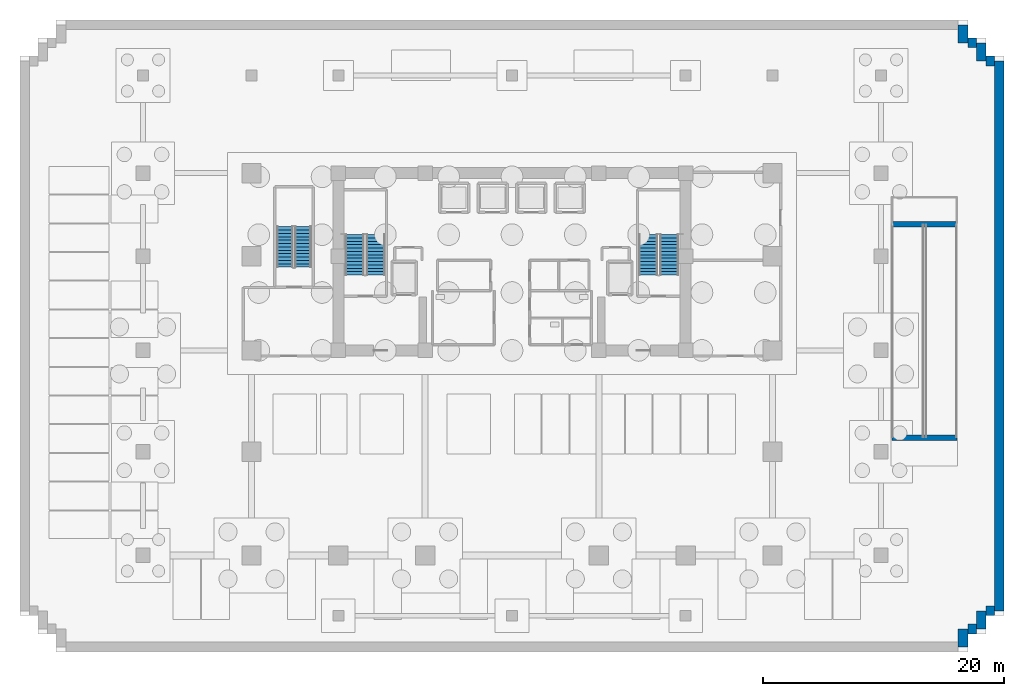
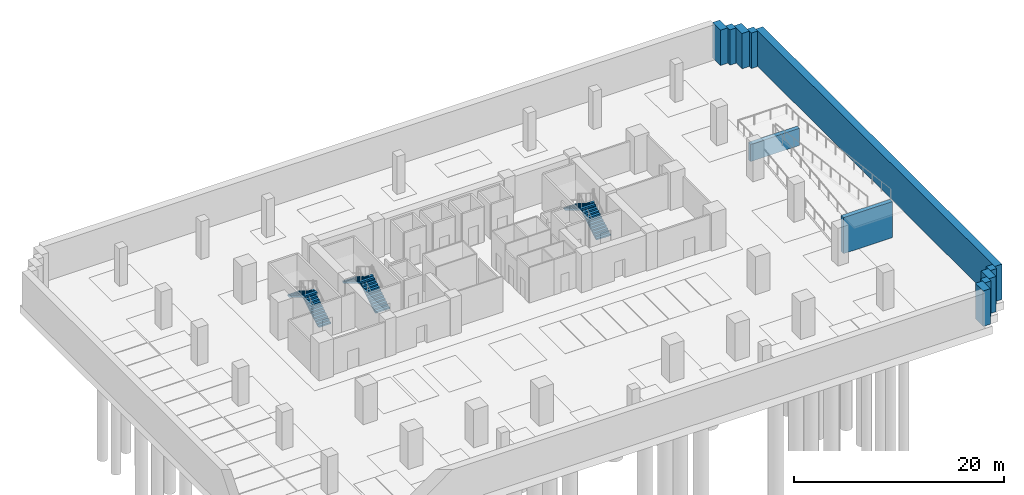
# One storey, part 6 of 13: 11 walls, 6 stair flights, 3 elements without a shape of their own.
"""IFC4 building model written with IfcOpenShell, lengths in metres."""

from ifc_helpers import new_model, si_unit, direction, frame, frame_2d, origin, place, context, subcontext, project, spatial, polyline, rectangle, outline, extrude, material, layer, layer_set, type_object, element, aggregate, save


model = new_model("IFC4")

# Units and contexts
model_context = context("Model", 3, precision=1e-05, world=origin(), true_north=direction((0.0, 1.0)))
body_context = subcontext(model_context, "Body", "Model", "MODEL_VIEW")
ifc_project = project(units=[si_unit("LENGTHUNIT", "METRE"), si_unit("AREAUNIT", "SQUARE_METRE"), si_unit("VOLUMEUNIT", "CUBIC_METRE"), si_unit("PLANEANGLEUNIT", "RADIAN"), si_unit("MASSUNIT", "GRAM", prefix="KILO")], contexts=[model_context])

# Site, building, storey
site_placement = place(None, origin())
site = spatial("IfcSite", under=ifc_project, at=site_placement, CompositionType="ELEMENT")
building_placement = place(site_placement, origin())
building = spatial("IfcBuilding", under=site, at=building_placement, Name="Zarnakvel Exchange Tower", CompositionType="ELEMENT")
storey_placement = place(building_placement, frame((0.0, 0.0, -13.199951171875)))
storey = spatial("IfcBuildingStorey", under=building, at=storey_placement, Name="B03", CompositionType="ELEMENT", Elevation=-13.199951171875)

# Walls
ifc_material_1 = material(Name="Concrete C50/60", Category="concrete")
ifc_layer_1 = layer(ifc_material_1, 0.449951171875)
ifc_layer_set_1 = layer_set([ifc_layer_1], Name="Concrete C50/60")
wall_type_1 = type_object("IfcWallType", Name="CW-C6", PredefinedType="SHEAR", material=ifc_layer_set_1)
wall_1_placement = place(storey_placement, frame((31.5, 9.25, 0.0), z_axis=(0.0, 0.0, 1.0), x_axis=(1.0, 0.0, 0.0)))
element("IfcWall", 1, at=wall_1_placement, inside=storey, type_object=wall_type_1, Name="B03 Ramp Mid-Landing Hinge Bearing Wall", PredefinedType="SHEAR", context=body_context, shape_type="SweptSolid", body=[
    extrude(rectangle(XDim=5.39990234375, YDim=0.449951171875, at=frame_2d((2.699951171875, 0.0))), origin(), (0.0, 0.0, 1.0), 2.0),
])
wall_2_placement = place(storey_placement, frame((31.5, -8.449951171875, 0.0), z_axis=(0.0, 0.0, 1.0), x_axis=(1.0, 0.0, 0.0)))
element("IfcWall", 2, at=wall_2_placement, inside=storey, type_object=wall_type_1, Name="B03 Ramp Top-Landing Hinge Bearing Wall", PredefinedType="SHEAR", context=body_context, shape_type="SweptSolid", body=[
    extrude(rectangle(XDim=5.39990234375, YDim=0.449951171875, at=frame_2d((2.699951171875, 0.0))), origin(), (0.0, 0.0, 1.0), 4.199951171875),
])
ifc_layer_2 = layer(ifc_material_1, 0.800048828125)
ifc_layer_set_2 = layer_set([ifc_layer_2], Name="Concrete C50/60")
wall_type_2 = type_object("IfcWallType", Name="RW-01", PredefinedType="USERDEFINED", material=ifc_layer_set_2)
wall_3_placement = place(storey_placement, frame((37.39990234375, 25.800048828125, 0.0), z_axis=(0.0, 0.0, 1.0), x_axis=(0.0, -1.0, 0.0)))
element("IfcWall", 3, at=wall_3_placement, inside=storey, type_object=wall_type_2, Name="B03 Perimeter Retaining Wall RW-01 #7", ObjectType="RETAININGWALL", PredefinedType="USERDEFINED", context=body_context, shape_type="SweptSolid", body=[
    extrude(rectangle(XDim=1.5, YDim=0.800048828125, at=frame_2d((0.75, 0.0))), origin(), (0.0, 0.0, 1.0), 4.119873046875),
])
wall_4_placement = place(storey_placement, frame((37.800048828125, 24.300048828125, 0.0), z_axis=(0.0, 0.0, 1.0), x_axis=(1.0, 0.0, 0.0)))
element("IfcWall", 4, at=wall_4_placement, inside=storey, type_object=wall_type_2, Name="B03 Perimeter Retaining Wall RW-01 #8", ObjectType="RETAININGWALL", PredefinedType="USERDEFINED", context=body_context, shape_type="SweptSolid", body=[
    extrude(rectangle(XDim=0.699951171875, YDim=0.800048828125, at=frame_2d((0.35009765625, 0.0))), origin(), (0.0, 0.0, 1.0), 4.119873046875),
])
wall_5_placement = place(storey_placement, frame((38.89990234375, 24.300048828125, 0.0), z_axis=(0.0, 0.0, 1.0), x_axis=(0.0, -1.0, 0.0)))
element("IfcWall", 5, at=wall_5_placement, inside=storey, type_object=wall_type_2, Name="B03 Perimeter Retaining Wall RW-01 #9", ObjectType="RETAININGWALL", PredefinedType="USERDEFINED", context=body_context, shape_type="SweptSolid", body=[
    extrude(rectangle(XDim=1.5, YDim=0.800048828125, at=frame_2d((0.75, 0.0))), origin(), (0.0, 0.0, 1.0), 4.119873046875),
])
wall_6_placement = place(storey_placement, frame((39.300048828125, 22.800048828125, 0.0), z_axis=(0.0, 0.0, 1.0), x_axis=(1.0, 0.0, 0.0)))
element("IfcWall", 6, at=wall_6_placement, inside=storey, type_object=wall_type_2, Name="B03 Perimeter Retaining Wall RW-01 #10", ObjectType="RETAININGWALL", PredefinedType="USERDEFINED", context=body_context, shape_type="SweptSolid", body=[
    extrude(rectangle(XDim=0.699951171875, YDim=0.800048828125, at=frame_2d((0.35009765625, 0.0))), origin(), (0.0, 0.0, 1.0), 4.119873046875),
])
wall_7_placement = place(storey_placement, frame((40.39990234375, 22.800048828125, 0.0), z_axis=(0.0, 0.0, 1.0), x_axis=(0.0, -1.0, 0.0)))
element("IfcWall", 7, at=wall_7_placement, inside=storey, type_object=wall_type_2, Name="B03 Perimeter Retaining Wall RW-01 #11", ObjectType="RETAININGWALL", PredefinedType="USERDEFINED", context=body_context, shape_type="SweptSolid", body=[
    extrude(rectangle(XDim=45.60009765625, YDim=0.800048828125, at=frame_2d((22.800048828125, 0.0))), origin(), (0.0, 0.0, 1.0), 4.119873046875),
])
wall_8_placement = place(storey_placement, frame((40.0, -22.800048828125, 0.0), z_axis=(0.0, 0.0, 1.0), x_axis=(-1.0, 0.0, 0.0)))
element("IfcWall", 8, at=wall_8_placement, inside=storey, type_object=wall_type_2, Name="B03 Perimeter Retaining Wall RW-01 #12", ObjectType="RETAININGWALL", PredefinedType="USERDEFINED", context=body_context, shape_type="SweptSolid", body=[
    extrude(rectangle(XDim=0.699951171875, YDim=0.800048828125, at=frame_2d((0.35009765625, 0.0))), origin(), (0.0, 0.0, 1.0), 4.119873046875),
])
wall_9_placement = place(storey_placement, frame((38.89990234375, -22.800048828125, 0.0), z_axis=(0.0, 0.0, 1.0), x_axis=(0.0, -1.0, 0.0)))
element("IfcWall", 9, at=wall_9_placement, inside=storey, type_object=wall_type_2, Name="B03 Perimeter Retaining Wall RW-01 #13", ObjectType="RETAININGWALL", PredefinedType="USERDEFINED", context=body_context, shape_type="SweptSolid", body=[
    extrude(rectangle(XDim=1.5, YDim=0.800048828125, at=frame_2d((0.75, 0.0))), origin(), (0.0, 0.0, 1.0), 4.119873046875),
])
wall_10_placement = place(storey_placement, frame((38.5, -24.300048828125, 0.0), z_axis=(0.0, 0.0, 1.0), x_axis=(-1.0, 0.0, 0.0)))
element("IfcWall", 10, at=wall_10_placement, inside=storey, type_object=wall_type_2, Name="B03 Perimeter Retaining Wall RW-01 #14", ObjectType="RETAININGWALL", PredefinedType="USERDEFINED", context=body_context, shape_type="SweptSolid", body=[
    extrude(rectangle(XDim=0.699951171875, YDim=0.800048828125, at=frame_2d((0.35009765625, 0.0))), origin(), (0.0, 0.0, 1.0), 4.119873046875),
])
wall_11_placement = place(storey_placement, frame((37.39990234375, -24.300048828125, 0.0), z_axis=(0.0, 0.0, 1.0), x_axis=(0.0, -1.0, 0.0)))
element("IfcWall", 11, at=wall_11_placement, inside=storey, type_object=wall_type_2, Name="B03 Perimeter Retaining Wall RW-01 #15", ObjectType="RETAININGWALL", PredefinedType="USERDEFINED", context=body_context, shape_type="SweptSolid", body=[
    extrude(rectangle(XDim=1.5, YDim=0.800048828125, at=frame_2d((0.75, 0.0))), origin(), (0.0, 0.0, 1.0), 4.119873046875),
])

# Stair, stair flights
ifc_material_2 = material(Name="Concrete C40/50", Category="concrete")
stair_type_1 = type_object("IfcStairType", Name="STR-01", PredefinedType="HALF_TURN_STAIR", material=ifc_material_2)
stair_1_placement = place(storey_placement, origin())
stair_1 = element("IfcStair", 12, at=stair_1_placement, inside=storey, type_object=stair_type_1, Name="B03 Protected Core Exit Stair ST-01", PredefinedType="HALF_TURN_STAIR")
stair_flight_type_1 = type_object("IfcStairFlightType", Name="FLT-01", PredefinedType="STRAIGHT", material=ifc_material_2)
stair_flight_1_placement = place(storey_placement, frame((-11.31494140625, 5.050048828125, 0.0), z_axis=(0.0, 0.0, 1.0), x_axis=(0.0, 1.0, 0.0)))
stair_flight_1 = element("IfcStairFlight", 13, at=stair_flight_1_placement, type_object=stair_flight_type_1, Name="ST-01 flight 1", NumberOfRisers=13, NumberOfTreads=12, PredefinedType="STRAIGHT", RiserHeight=0.169230769, TreadLength=0.28, context=body_context, shape_type="SweptSolid", body=[
    extrude(outline(polyline([(0.0, 0.0), (0.0, 0.169189453125), (0.280029296875, 0.169189453125), (0.280029296875, 0.33837890625), (0.56005859375, 0.33837890625), (0.56005859375, 0.5078125), (0.840087890625, 0.5078125), (0.840087890625, 0.677001953125), (1.1201171875, 0.677001953125), (1.1201171875, 0.84619140625), (1.39990234375, 0.84619140625), (1.39990234375, 1.015380859375), (1.679931640625, 1.015380859375), (1.679931640625, 1.1845703125), (1.9599609375, 1.1845703125), (1.9599609375, 1.353759765625), (2.239990234375, 1.353759765625), (2.239990234375, 1.523193359375), (2.52001953125, 1.523193359375), (2.52001953125, 1.6923828125), (2.800048828125, 1.6923828125), (2.800048828125, 1.861572265625), (3.080078125, 1.861572265625), (3.080078125, 2.03076171875), (3.360107421875, 2.03076171875), (3.360107421875, 2.199951171875), (3.360107421875, 1.855712890625), (0.289794921875, 0.0), (0.0, 0.0)])), frame((0.0, 0.77490234375, 0.0), z_axis=(0.0, -1.0, 0.0), x_axis=(1.0, 0.0, 0.0)), (0.0, 0.0, 1.0), 1.550048828125),
])
stair_flight_2_placement = place(storey_placement, frame((-13.02490234375, 8.409912109375, 2.199951171875), z_axis=(0.0, 0.0, 1.0), x_axis=(0.0, -1.0, 0.0)))
stair_flight_2 = element("IfcStairFlight", 14, at=stair_flight_2_placement, type_object=stair_flight_type_1, Name="ST-01 flight 2", NumberOfRisers=13, NumberOfTreads=12, PredefinedType="STRAIGHT", RiserHeight=0.169230769, TreadLength=0.28, context=body_context, shape_type="SweptSolid", body=[
    extrude(outline(polyline([(0.0, 0.0), (0.0, 0.169189453125), (0.280029296875, 0.169189453125), (0.280029296875, 0.33837890625), (0.56005859375, 0.33837890625), (0.56005859375, 0.5078125), (0.840087890625, 0.5078125), (0.840087890625, 0.677001953125), (1.1201171875, 0.677001953125), (1.1201171875, 0.84619140625), (1.39990234375, 0.84619140625), (1.39990234375, 1.015380859375), (1.679931640625, 1.015380859375), (1.679931640625, 1.1845703125), (1.9599609375, 1.1845703125), (1.9599609375, 1.353759765625), (2.239990234375, 1.353759765625), (2.239990234375, 1.523193359375), (2.52001953125, 1.523193359375), (2.52001953125, 1.6923828125), (2.800048828125, 1.6923828125), (2.800048828125, 1.861572265625), (3.080078125, 1.861572265625), (3.080078125, 2.03076171875), (3.360107421875, 2.03076171875), (3.360107421875, 2.199951171875), (3.360107421875, 1.855712890625), (0.289794921875, 0.0), (0.0, 0.0)])), frame((0.0, 0.77490234375, 0.0), z_axis=(0.0, -1.0, 0.0), x_axis=(1.0, 0.0, 0.0)), (0.0, 0.0, 1.0), 1.550048828125),
])
aggregate(stair_1, [stair_flight_1, stair_flight_2])

stair_2_placement = place(storey_placement, origin())
stair_2 = element("IfcStair", 15, at=stair_2_placement, inside=storey, type_object=stair_type_1, Name="B03 Protected Core Exit Stair ST-02", PredefinedType="HALF_TURN_STAIR")
stair_flight_3_placement = place(storey_placement, frame((13.02490234375, 5.050048828125, 0.0), z_axis=(0.0, 0.0, 1.0), x_axis=(0.0, 1.0, 0.0)))
stair_flight_3 = element("IfcStairFlight", 16, at=stair_flight_3_placement, type_object=stair_flight_type_1, Name="ST-02 flight 1", NumberOfRisers=13, NumberOfTreads=12, PredefinedType="STRAIGHT", RiserHeight=0.169230769, TreadLength=0.28, context=body_context, shape_type="SweptSolid", body=[
    extrude(outline(polyline([(0.0, 0.0), (0.0, 0.169189453125), (0.280029296875, 0.169189453125), (0.280029296875, 0.33837890625), (0.56005859375, 0.33837890625), (0.56005859375, 0.5078125), (0.840087890625, 0.5078125), (0.840087890625, 0.677001953125), (1.1201171875, 0.677001953125), (1.1201171875, 0.84619140625), (1.39990234375, 0.84619140625), (1.39990234375, 1.015380859375), (1.679931640625, 1.015380859375), (1.679931640625, 1.1845703125), (1.9599609375, 1.1845703125), (1.9599609375, 1.353759765625), (2.239990234375, 1.353759765625), (2.239990234375, 1.523193359375), (2.52001953125, 1.523193359375), (2.52001953125, 1.6923828125), (2.800048828125, 1.6923828125), (2.800048828125, 1.861572265625), (3.080078125, 1.861572265625), (3.080078125, 2.03076171875), (3.360107421875, 2.03076171875), (3.360107421875, 2.199951171875), (3.360107421875, 1.855712890625), (0.289794921875, 0.0), (0.0, 0.0)])), frame((0.0, 0.77490234375, 0.0), z_axis=(0.0, -1.0, 0.0), x_axis=(1.0, 0.0, 0.0)), (0.0, 0.0, 1.0), 1.550048828125),
])
stair_flight_4_placement = place(storey_placement, frame((11.31494140625, 8.409912109375, 2.199951171875), z_axis=(0.0, 0.0, 1.0), x_axis=(0.0, -1.0, 0.0)))
stair_flight_4 = element("IfcStairFlight", 17, at=stair_flight_4_placement, type_object=stair_flight_type_1, Name="ST-02 flight 2", NumberOfRisers=13, NumberOfTreads=12, PredefinedType="STRAIGHT", RiserHeight=0.169230769, TreadLength=0.28, context=body_context, shape_type="SweptSolid", body=[
    extrude(outline(polyline([(0.0, 0.0), (0.0, 0.169189453125), (0.280029296875, 0.169189453125), (0.280029296875, 0.33837890625), (0.56005859375, 0.33837890625), (0.56005859375, 0.5078125), (0.840087890625, 0.5078125), (0.840087890625, 0.677001953125), (1.1201171875, 0.677001953125), (1.1201171875, 0.84619140625), (1.39990234375, 0.84619140625), (1.39990234375, 1.015380859375), (1.679931640625, 1.015380859375), (1.679931640625, 1.1845703125), (1.9599609375, 1.1845703125), (1.9599609375, 1.353759765625), (2.239990234375, 1.353759765625), (2.239990234375, 1.523193359375), (2.52001953125, 1.523193359375), (2.52001953125, 1.6923828125), (2.800048828125, 1.6923828125), (2.800048828125, 1.861572265625), (3.080078125, 1.861572265625), (3.080078125, 2.03076171875), (3.360107421875, 2.03076171875), (3.360107421875, 2.199951171875), (3.360107421875, 1.855712890625), (0.289794921875, 0.0), (0.0, 0.0)])), frame((0.0, 0.77490234375, 0.0), z_axis=(0.0, -1.0, 0.0), x_axis=(1.0, 0.0, 0.0)), (0.0, 0.0, 1.0), 1.550048828125),
])
aggregate(stair_2, [stair_flight_3, stair_flight_4])

stair_type_2 = type_object("IfcStairType", Name="STR-03", PredefinedType="HALF_TURN_STAIR", material=ifc_material_2)
stair_3_placement = place(storey_placement, origin())
stair_3 = element("IfcStair", 18, at=stair_3_placement, inside=storey, type_object=stair_type_2, Name="B03 Substructure Car Park Exit Stair ST-05", PredefinedType="HALF_TURN_STAIR")
stair_flight_type_2 = type_object("IfcStairFlightType", Name="FLT-03", PredefinedType="STRAIGHT", material=ifc_material_2)
stair_flight_5_placement = place(storey_placement, frame((-17.31494140625, 5.699951171875, 0.0), z_axis=(0.0, 0.0, 1.0), x_axis=(0.0, 1.0, 0.0)))
stair_flight_5 = element("IfcStairFlight", 19, at=stair_flight_5_placement, type_object=stair_flight_type_2, Name="ST-05 flight 1", NumberOfRisers=13, NumberOfTreads=12, PredefinedType="STRAIGHT", RiserHeight=0.169230769, TreadLength=0.28, context=body_context, shape_type="SweptSolid", body=[
    extrude(outline(polyline([(0.0, 0.0), (0.0, 0.169189453125), (0.280029296875, 0.169189453125), (0.280029296875, 0.33837890625), (0.56005859375, 0.33837890625), (0.56005859375, 0.5078125), (0.840087890625, 0.5078125), (0.840087890625, 0.677001953125), (1.1201171875, 0.677001953125), (1.1201171875, 0.84619140625), (1.39990234375, 0.84619140625), (1.39990234375, 1.015380859375), (1.679931640625, 1.015380859375), (1.679931640625, 1.1845703125), (1.9599609375, 1.1845703125), (1.9599609375, 1.353759765625), (2.239990234375, 1.353759765625), (2.239990234375, 1.523193359375), (2.52001953125, 1.523193359375), (2.52001953125, 1.6923828125), (2.800048828125, 1.6923828125), (2.800048828125, 1.861572265625), (3.080078125, 1.861572265625), (3.080078125, 2.03076171875), (3.360107421875, 2.03076171875), (3.360107421875, 2.199951171875), (3.360107421875, 1.855712890625), (0.289794921875, 0.0), (0.0, 0.0)])), frame((0.0, 0.675048828125, 0.0), z_axis=(0.0, -1.0, 0.0), x_axis=(1.0, 0.0, 0.0)), (0.0, 0.0, 1.0), 1.35009765625),
])
stair_flight_6_placement = place(storey_placement, frame((-18.824951171875, 9.06005859375, 2.199951171875), z_axis=(0.0, 0.0, 1.0), x_axis=(0.0, -1.0, 0.0)))
stair_flight_6 = element("IfcStairFlight", 20, at=stair_flight_6_placement, type_object=stair_flight_type_2, Name="ST-05 flight 2", NumberOfRisers=13, NumberOfTreads=12, PredefinedType="STRAIGHT", RiserHeight=0.169230769, TreadLength=0.28, context=body_context, shape_type="SweptSolid", body=[
    extrude(outline(polyline([(0.0, 0.0), (0.0, 0.169189453125), (0.280029296875, 0.169189453125), (0.280029296875, 0.33837890625), (0.56005859375, 0.33837890625), (0.56005859375, 0.5078125), (0.840087890625, 0.5078125), (0.840087890625, 0.677001953125), (1.1201171875, 0.677001953125), (1.1201171875, 0.84619140625), (1.39990234375, 0.84619140625), (1.39990234375, 1.015380859375), (1.679931640625, 1.015380859375), (1.679931640625, 1.1845703125), (1.9599609375, 1.1845703125), (1.9599609375, 1.353759765625), (2.239990234375, 1.353759765625), (2.239990234375, 1.523193359375), (2.52001953125, 1.523193359375), (2.52001953125, 1.6923828125), (2.800048828125, 1.6923828125), (2.800048828125, 1.861572265625), (3.080078125, 1.861572265625), (3.080078125, 2.03076171875), (3.360107421875, 2.03076171875), (3.360107421875, 2.199951171875), (3.360107421875, 1.855712890625), (0.289794921875, 0.0), (0.0, 0.0)])), frame((0.0, 0.675048828125, 0.0), z_axis=(0.0, -1.0, 0.0), x_axis=(1.0, 0.0, 0.0)), (0.0, 0.0, 1.0), 1.35009765625),
])
aggregate(stair_3, [stair_flight_5, stair_flight_6])

save(model, "model.ifc")
